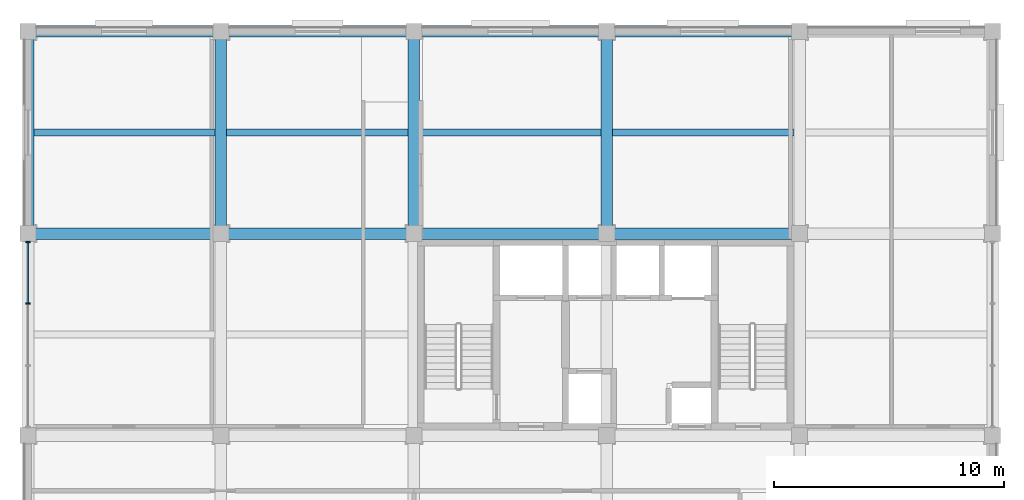
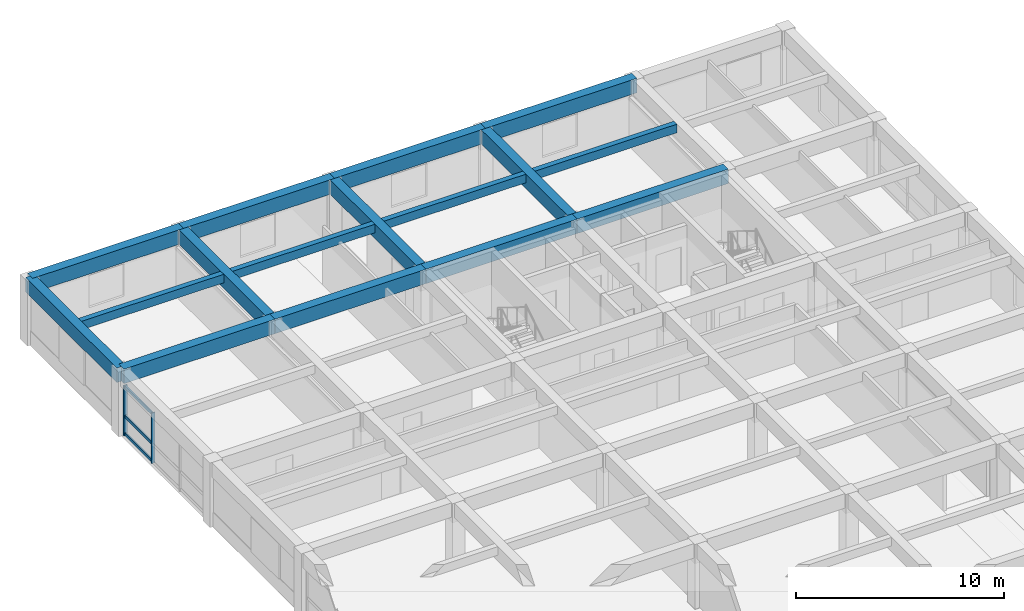
# One storey, part 5 of 12: 16 beams, 5 members, 1 element without a shape of its own.
"""IFC4 building model written with IfcOpenShell, lengths in metres."""

from ifc_helpers import new_model, si_unit, direction, frame, origin, origin_2d, place, context, subcontext, project, spatial, rectangle, extrude, material, material_profile, profile_set, type_object, element, aggregate, save


model = new_model("IFC4")

# Units and contexts
model_context = context("Model", 3, precision=1e-05, world=origin(), true_north=direction((0.0, 1.0)))
body_context = subcontext(model_context, "Body", "Model", "MODEL_VIEW")
ifc_project = project(units=[si_unit("LENGTHUNIT", "METRE"), si_unit("AREAUNIT", "SQUARE_METRE"), si_unit("VOLUMEUNIT", "CUBIC_METRE"), si_unit("PLANEANGLEUNIT", "RADIAN"), si_unit("MASSUNIT", "GRAM", prefix="KILO")], contexts=[model_context])

# Site, building, storey
site_placement = place(None, origin())
site = spatial("IfcSite", under=ifc_project, at=site_placement, CompositionType="ELEMENT")
building_placement = place(site_placement, origin())
building = spatial("IfcBuilding", under=site, at=building_placement, Name="Kemercrest Conservatory and Botanical Centre", CompositionType="ELEMENT")
storey_placement = place(building_placement, frame((0.0, 0.0, 21.0)))
storey = spatial("IfcBuildingStorey", under=building, at=storey_placement, Name="L05", CompositionType="ELEMENT", Elevation=21.0)

# Beams
ifc_material_1 = material(Name="Concrete C50/60", Category="concrete")
ifc_material_profile_1 = material_profile(ifc_material_1, rectangle(XDim=0.5, YDim=0.85009765625, at=origin_2d()), Name="RC 500x850")
ifc_profile_set_1 = profile_set([ifc_material_profile_1], Name="Concrete C50/60")
beam_type_1 = type_object("IfcBeamType", Name="BM-RC85", PredefinedType="BEAM", material=ifc_profile_set_1)
beam_1_placement = place(storey_placement, frame((134.0, 113.60009765625, 3.375), z_axis=(1.0, 0.0, 0.0), x_axis=(0.0, 1.0, 0.0)))
element("IfcBeam", 1, at=beam_1_placement, inside=storey, type_object=beam_type_1, Name="V4-L06 beam BM-RC85 N/16-17", PredefinedType="BEAM", context=body_context, shape_type="SweptSolid", body=[
    extrude(rectangle(XDim=0.5, YDim=0.85009765625, at=origin_2d()), origin(), (0.0, 0.0, 1.0), 8.39990234375),
])
beam_2_placement = place(storey_placement, frame((142.39990234375, 113.60009765625, 3.375), z_axis=(1.0, 0.0, 0.0), x_axis=(0.0, 1.0, 0.0)))
element("IfcBeam", 2, at=beam_2_placement, inside=storey, type_object=beam_type_1, Name="V4-L06 beam BM-RC85 N/17-18", PredefinedType="BEAM", context=body_context, shape_type="SweptSolid", body=[
    extrude(rectangle(XDim=0.5, YDim=0.85009765625, at=origin_2d()), origin(), (0.0, 0.0, 1.0), 8.400146484375),
])
beam_3_placement = place(storey_placement, frame((150.800048828125, 113.60009765625, 3.375), z_axis=(1.0, 0.0, 0.0), x_axis=(0.0, 1.0, 0.0)))
element("IfcBeam", 3, at=beam_3_placement, inside=storey, type_object=beam_type_1, Name="V4-L06 beam BM-RC85 N/18-19", PredefinedType="BEAM", context=body_context, shape_type="SweptSolid", body=[
    extrude(rectangle(XDim=0.5, YDim=0.85009765625, at=origin_2d()), origin(), (0.0, 0.0, 1.0), 8.39990234375),
])
beam_4_placement = place(storey_placement, frame((159.199951171875, 113.60009765625, 3.375), z_axis=(1.0, 0.0, 0.0), x_axis=(0.0, 1.0, 0.0)))
element("IfcBeam", 4, at=beam_4_placement, inside=storey, type_object=beam_type_1, Name="V4-L06 beam BM-RC85 N/19-20", PredefinedType="BEAM", context=body_context, shape_type="SweptSolid", body=[
    extrude(rectangle(XDim=0.5, YDim=0.85009765625, at=origin_2d()), origin(), (0.0, 0.0, 1.0), 8.400146484375),
])
for number, where, z_axis, x_axis, name in (
    (5, (142.39990234375, 113.60009765625, 3.375), (0.0, 1.0, 0.0), (-1.0, 0.0, 0.0), "V4-L06 beam BM-RC85 17/N-P"),
    (6, (150.800048828125, 113.60009765625, 3.375), (0.0, 1.0, 0.0), (-1.0, 0.0, 0.0), "V4-L06 beam BM-RC85 18/N-P"),
    (7, (159.199951171875, 113.60009765625, 3.375), (0.0, 1.0, 0.0), (-1.0, 0.0, 0.0), "V4-L06 beam BM-RC85 19/N-P"),
):
    element("IfcBeam", number, at=place(storey_placement, frame(where, z_axis=z_axis, x_axis=x_axis)), inside=storey, type_object=beam_type_1, Name=name, PredefinedType="BEAM", context=body_context, shape_type="SweptSolid", body=[
        extrude(rectangle(XDim=0.5, YDim=0.85009765625, at=origin_2d()), origin(), (0.0, 0.0, 1.0), 8.7998046875),
    ])

# Curtain wall, members
ifc_material_2 = material(Name="Thermally broken aluminium and triple low-e glazing", Category="aluminium")
curtain_wall_type = type_object("IfcCurtainWallType", Name="CW-21", PredefinedType="USERDEFINED", material=ifc_material_2)
curtain_wall_placement = place(storey_placement, origin())
curtain_wall = element("IfcCurtainWall", 8, at=curtain_wall_placement, inside=storey, type_object=curtain_wall_type, Name="Unitised curtain wall CW-21 (CW:L05:V4-080)", ObjectType="UNITISED CURTAIN WALL", PredefinedType="USERDEFINED")
ifc_material_3 = material(Name="Thermally broken anodized aluminium 6063-T6", Category="aluminium")
ifc_material_profile_2 = material_profile(ifc_material_3, rectangle(XDim=0.199951171875, YDim=0.06494140625, at=origin_2d()), Name="AL MULLION 65x200")
ifc_profile_set_2 = profile_set([ifc_material_profile_2], Name="Thermally broken anodized aluminium 6063-T6")
member_type_1 = type_object("IfcMemberType", Name="CW-M200", PredefinedType="MULLION", material=ifc_profile_set_2)
member_1_placement = place(storey_placement, frame((134.0, 113.222412109375, 0.0), z_axis=(0.0, 0.0, 1.0), x_axis=(1.0, 0.0, 0.0)))
member_1 = element("IfcMember", 9, at=member_1_placement, type_object=member_type_1, Name="CW-21 mullion 1", PredefinedType="MULLION", context=body_context, shape_type="SweptSolid", body=[
    extrude(rectangle(XDim=0.199951171875, YDim=0.06494140625, at=origin_2d()), origin(), (0.0, 0.0, 1.0), 2.955078125),
])
member_2_placement = place(storey_placement, frame((134.0, 110.5517578125, 0.0), z_axis=(0.0, 0.0, 1.0), x_axis=(1.0, 0.0, 0.0)))
member_2 = element("IfcMember", 10, at=member_2_placement, type_object=member_type_1, Name="CW-21 mullion 2", PredefinedType="MULLION", context=body_context, shape_type="SweptSolid", body=[
    extrude(rectangle(XDim=0.199951171875, YDim=0.06494140625, at=origin_2d()), origin(), (0.0, 0.0, 1.0), 2.955078125),
])
ifc_material_profile_3 = material_profile(ifc_material_3, rectangle(XDim=0.074951171875, YDim=0.179931640625, at=origin_2d()), Name="AL TRANSOM 75x180")
ifc_profile_set_3 = profile_set([ifc_material_profile_3], Name="Thermally broken anodized aluminium 6063-T6")
member_type_2 = type_object("IfcMemberType", Name="CW-T180", PredefinedType="USERDEFINED", material=ifc_profile_set_3)
member_3_placement = place(storey_placement, frame((134.0, 113.18994140625, 0.090087890625), z_axis=(0.0, -1.0, 0.0), x_axis=(1.0, 0.0, 0.0)))
member_3 = element("IfcMember", 11, at=member_3_placement, type_object=member_type_2, Name="CW-21 transom 1.1", ObjectType="TRANSOM", PredefinedType="USERDEFINED", context=body_context, shape_type="SweptSolid", body=[
    extrude(rectangle(XDim=0.074951171875, YDim=0.179931640625, at=origin_2d()), origin(), (0.0, 0.0, 1.0), 2.605712890625),
])
member_4_placement = place(storey_placement, frame((134.0, 113.18994140625, 1.1201171875), z_axis=(0.0, -1.0, 0.0), x_axis=(1.0, 0.0, 0.0)))
member_4 = element("IfcMember", 12, at=member_4_placement, type_object=member_type_2, Name="CW-21 transom 1.2", ObjectType="TRANSOM", PredefinedType="USERDEFINED", context=body_context, shape_type="SweptSolid", body=[
    extrude(rectangle(XDim=0.074951171875, YDim=0.179931640625, at=origin_2d()), origin(), (0.0, 0.0, 1.0), 2.605712890625),
])
member_5_placement = place(storey_placement, frame((134.0, 113.18994140625, 2.864990234375), z_axis=(0.0, -1.0, 0.0), x_axis=(1.0, 0.0, 0.0)))
member_5 = element("IfcMember", 13, at=member_5_placement, type_object=member_type_2, Name="CW-21 transom 1.3", ObjectType="TRANSOM", PredefinedType="USERDEFINED", context=body_context, shape_type="SweptSolid", body=[
    extrude(rectangle(XDim=0.074951171875, YDim=0.179931640625, at=origin_2d()), origin(), (0.0, 0.0, 1.0), 2.605712890625),
])
aggregate(curtain_wall, [member_1, member_2, member_3, member_4, member_5])

# Beams
ifc_material_4 = material(Name="Concrete C40/50", Category="concrete")
ifc_material_profile_4 = material_profile(ifc_material_4, rectangle(XDim=0.300048828125, YDim=0.5, at=origin_2d()), Name="RC 300x500")
ifc_profile_set_4 = profile_set([ifc_material_profile_4], Name="Concrete C40/50")
beam_type_2 = type_object("IfcBeamType", Name="JS-RC50", PredefinedType="JOIST", material=ifc_profile_set_4)
beam_5_placement = place(storey_placement, frame((134.25, 118.0, 3.550048828125), z_axis=(1.0, 0.0, 0.0), x_axis=(0.0, 1.0, 0.0)))
element("IfcBeam", 14, at=beam_5_placement, inside=storey, type_object=beam_type_2, Name="V4-L06 secondary joist JS-RC50", PredefinedType="JOIST", context=body_context, shape_type="SweptSolid", body=[
    extrude(rectangle(XDim=0.300048828125, YDim=0.5, at=origin_2d()), origin(), (0.0, 0.0, 1.0), 7.89990234375),
])
beam_6_placement = place(storey_placement, frame((142.64990234375, 118.0, 3.550048828125), z_axis=(1.0, 0.0, 0.0), x_axis=(0.0, 1.0, 0.0)))
element("IfcBeam", 15, at=beam_6_placement, inside=storey, type_object=beam_type_2, Name="V4-L06 secondary joist JS-RC50", PredefinedType="JOIST", context=body_context, shape_type="SweptSolid", body=[
    extrude(rectangle(XDim=0.300048828125, YDim=0.5, at=origin_2d()), origin(), (0.0, 0.0, 1.0), 7.900146484375),
])
beam_7_placement = place(storey_placement, frame((151.050048828125, 118.0, 3.550048828125), z_axis=(1.0, 0.0, 0.0), x_axis=(0.0, 1.0, 0.0)))
element("IfcBeam", 16, at=beam_7_placement, inside=storey, type_object=beam_type_2, Name="V4-L06 secondary joist JS-RC50", PredefinedType="JOIST", context=body_context, shape_type="SweptSolid", body=[
    extrude(rectangle(XDim=0.300048828125, YDim=0.5, at=origin_2d()), origin(), (0.0, 0.0, 1.0), 7.89990234375),
])
beam_8_placement = place(storey_placement, frame((159.449951171875, 118.0, 3.550048828125), z_axis=(1.0, 0.0, 0.0), x_axis=(0.0, 1.0, 0.0)))
element("IfcBeam", 17, at=beam_8_placement, inside=storey, type_object=beam_type_2, Name="V4-L06 secondary joist JS-RC50", PredefinedType="JOIST", context=body_context, shape_type="SweptSolid", body=[
    extrude(rectangle(XDim=0.300048828125, YDim=0.5, at=origin_2d()), origin(), (0.0, 0.0, 1.0), 7.900146484375),
])
ifc_material_profile_5 = material_profile(ifc_material_1, rectangle(XDim=0.5, YDim=0.85009765625, at=origin_2d()), Name="RC 500x850")
ifc_profile_set_5 = profile_set([ifc_material_profile_5], Name="Concrete C50/60")
beam_type_3 = type_object("IfcBeamType", Name="SP-RC85", PredefinedType="SPANDREL", material=ifc_profile_set_5)
beam_9_placement = place(storey_placement, frame((134.0, 122.39990234375, 3.375), z_axis=(1.0, 0.0, 0.0), x_axis=(0.0, 1.0, 0.0)))
element("IfcBeam", 18, at=beam_9_placement, inside=storey, type_object=beam_type_3, Name="V4-L06 beam SP-RC85 P/16-17", PredefinedType="SPANDREL", context=body_context, shape_type="SweptSolid", body=[
    extrude(rectangle(XDim=0.5, YDim=0.85009765625, at=origin_2d()), origin(), (0.0, 0.0, 1.0), 8.39990234375),
])
beam_10_placement = place(storey_placement, frame((142.39990234375, 122.39990234375, 3.375), z_axis=(1.0, 0.0, 0.0), x_axis=(0.0, 1.0, 0.0)))
element("IfcBeam", 19, at=beam_10_placement, inside=storey, type_object=beam_type_3, Name="V4-L06 beam SP-RC85 P/17-18", PredefinedType="SPANDREL", context=body_context, shape_type="SweptSolid", body=[
    extrude(rectangle(XDim=0.5, YDim=0.85009765625, at=origin_2d()), origin(), (0.0, 0.0, 1.0), 8.400146484375),
])
beam_11_placement = place(storey_placement, frame((150.800048828125, 122.39990234375, 3.375), z_axis=(1.0, 0.0, 0.0), x_axis=(0.0, 1.0, 0.0)))
element("IfcBeam", 20, at=beam_11_placement, inside=storey, type_object=beam_type_3, Name="V4-L06 beam SP-RC85 P/18-19", PredefinedType="SPANDREL", context=body_context, shape_type="SweptSolid", body=[
    extrude(rectangle(XDim=0.5, YDim=0.85009765625, at=origin_2d()), origin(), (0.0, 0.0, 1.0), 8.39990234375),
])
beam_12_placement = place(storey_placement, frame((159.199951171875, 122.39990234375, 3.375), z_axis=(1.0, 0.0, 0.0), x_axis=(0.0, 1.0, 0.0)))
element("IfcBeam", 21, at=beam_12_placement, inside=storey, type_object=beam_type_3, Name="V4-L06 beam SP-RC85 P/19-20", PredefinedType="SPANDREL", context=body_context, shape_type="SweptSolid", body=[
    extrude(rectangle(XDim=0.5, YDim=0.85009765625, at=origin_2d()), origin(), (0.0, 0.0, 1.0), 8.400146484375),
])
beam_13_placement = place(storey_placement, frame((134.0, 113.60009765625, 3.375), z_axis=(0.0, 1.0, 0.0), x_axis=(-1.0, 0.0, 0.0)))
element("IfcBeam", 22, at=beam_13_placement, inside=storey, type_object=beam_type_3, Name="V4-L06 beam SP-RC85 16/N-P", PredefinedType="SPANDREL", context=body_context, shape_type="SweptSolid", body=[
    extrude(rectangle(XDim=0.5, YDim=0.85009765625, at=origin_2d()), origin(), (0.0, 0.0, 1.0), 8.7998046875),
])

save(model, "model.ifc")
